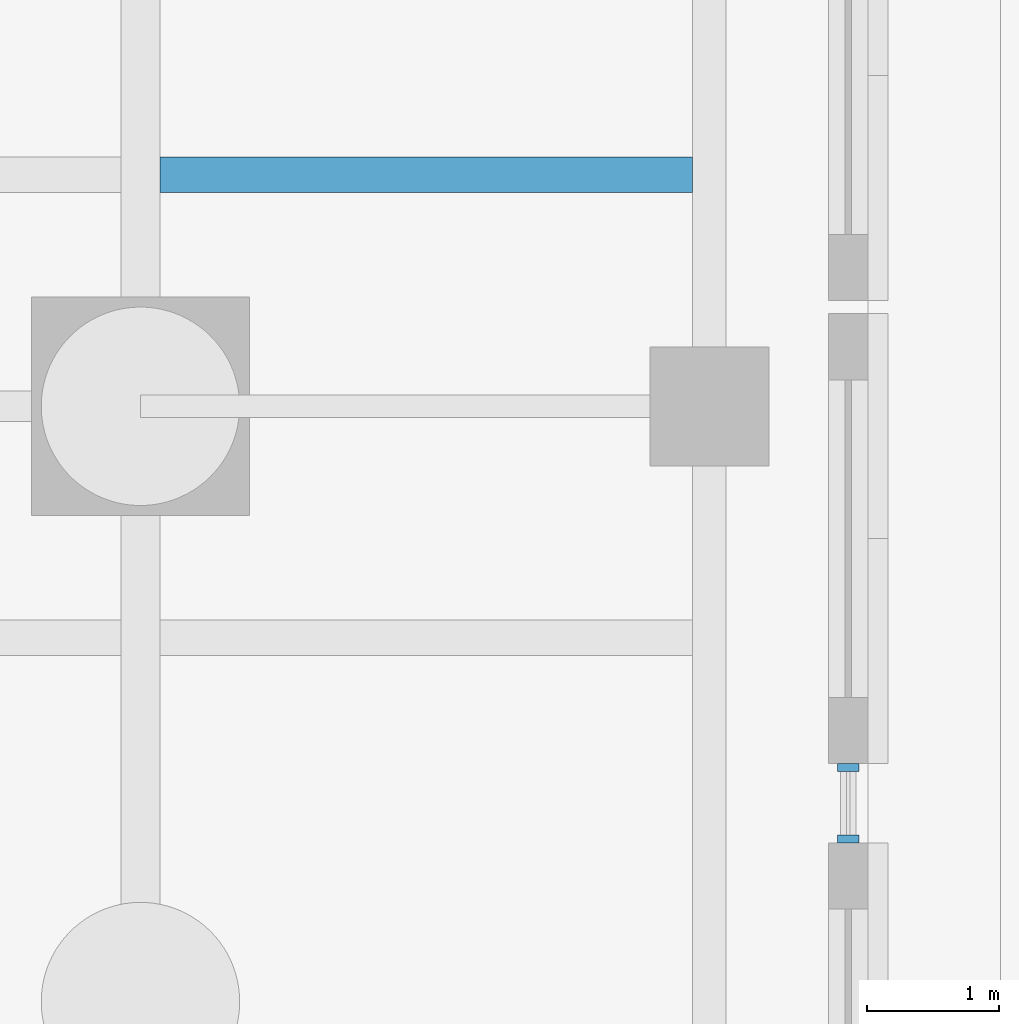
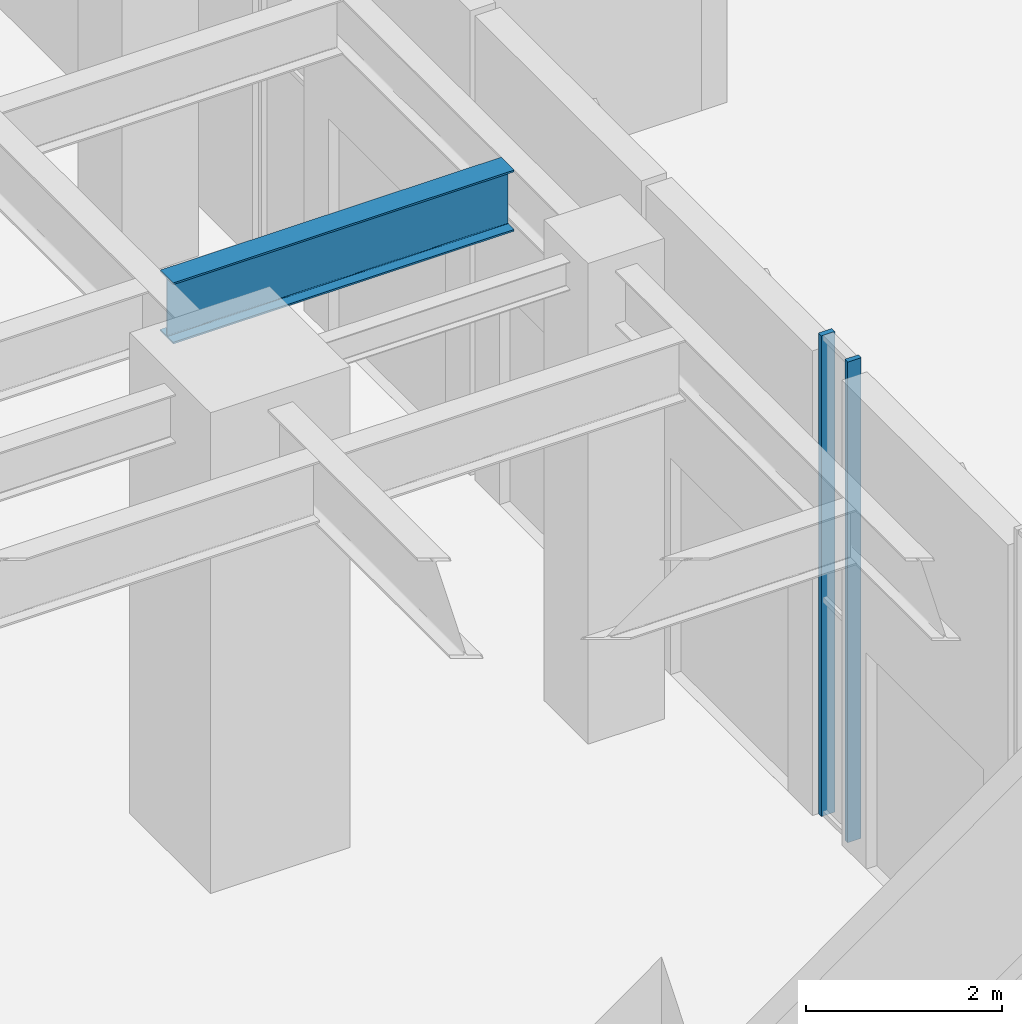
# One storey, part 11 of 43: 2 members, 1 beam, 1 element without a shape of its own.
"""IFC4 building model written with IfcOpenShell, lengths in metres."""

from ifc_helpers import new_model, si_unit, direction, frame, origin, origin_2d, place, context, subcontext, project, spatial, rectangle, i_section, extrude, material, material_profile, profile_set, type_object, element, aggregate, save


model = new_model("IFC4")

# Units and contexts
model_context = context("Model", 3, precision=1e-05, world=origin(), true_north=direction((0.0, 1.0)))
body_context = subcontext(model_context, "Body", "Model", "MODEL_VIEW")
ifc_project = project(units=[si_unit("LENGTHUNIT", "METRE"), si_unit("AREAUNIT", "SQUARE_METRE"), si_unit("VOLUMEUNIT", "CUBIC_METRE"), si_unit("PLANEANGLEUNIT", "RADIAN"), si_unit("MASSUNIT", "GRAM", prefix="KILO")], contexts=[model_context])

# Site, building, storey
site_placement = place(None, origin())
site = spatial("IfcSite", under=ifc_project, at=site_placement, CompositionType="ELEMENT")
building_placement = place(site_placement, origin())
building = spatial("IfcBuilding", under=site, at=building_placement, Name="Nakasero Lantern House", CompositionType="ELEMENT")
storey_placement = place(building_placement, origin())
storey = spatial("IfcBuildingStorey", under=building, at=storey_placement, Name="L00", CompositionType="ELEMENT", Elevation=0.0)

# Beam
ifc_material_1 = material(Name="Steel S355", Category="steel")
ifc_material_profile_1 = material_profile(ifc_material_1, i_section(OverallWidth=0.2666015625, OverallDepth=0.76220703125, WebThickness=0.014404296875, FlangeThickness=0.021484375, FilletRadius=0.0166015625, at=origin_2d()), Name="UB 762x267x173")
ifc_profile_set_1 = profile_set([ifc_material_profile_1], Name="Steel S355")
beam_type = type_object("IfcBeamType", Name="Infill beam UB 762x267x173", PredefinedType="JOIST", material=ifc_profile_set_1)
beam_placement = place(storey_placement, frame((22.646240234375, 1.75, 5.4189453125), z_axis=(1.0, 0.0, 0.0), x_axis=(0.0, 1.0, 0.0)))
element("IfcBeam", 1, at=beam_placement, inside=storey, type_object=beam_type, Name="Infill beam L01 09.4", PredefinedType="JOIST", context=body_context, shape_type="SweptSolid", body=[
    extrude(i_section(OverallWidth=0.2666015625, OverallDepth=0.76220703125, WebThickness=0.014404296875, FlangeThickness=0.021484375, FilletRadius=0.0166015625, at=origin_2d()), origin(), (0.0, 0.0, 1.0), 4.02587890625),
])

# Curtain wall, members
ifc_material_2 = material(Name="Aluminium 6063-T6 and glass", Category="aluminium")
curtain_wall_type = type_object("IfcCurtainWallType", Name="Podium shopfront glazing CW-1", PredefinedType="USERDEFINED", material=ifc_material_2)
curtain_wall_placement = place(storey_placement, origin())
curtain_wall = element("IfcCurtainWall", 2, at=curtain_wall_placement, inside=storey, type_object=curtain_wall_type, Name="Curtain wall CW-1 L00", ObjectType="STICK CURTAIN WALL", PredefinedType="USERDEFINED")
ifc_material_3 = material(Name="Aluminium 6063-T6", Category="aluminium")
ifc_material_profile_2 = material_profile(ifc_material_3, rectangle(XDim=0.06005859375, YDim=0.159912109375, at=origin_2d()), Name="CW-1 mullion 60x160")
ifc_profile_set_2 = profile_set([ifc_material_profile_2], Name="Aluminium 6063-T6")
member_type = type_object("IfcMemberType", Name="Mullion CW-1", PredefinedType="MULLION", material=ifc_profile_set_2)
member_1_placement = place(storey_placement, frame((27.85009765625, -3.27001953125, 0.0), z_axis=(0.0, 0.0, 1.0), x_axis=(0.0, 1.0, 0.0)))
member_1 = element("IfcMember", 3, at=member_1_placement, type_object=member_type, Name="CW-1 mullion 1", PredefinedType="MULLION", context=body_context, shape_type="SweptSolid", body=[
    extrude(rectangle(XDim=0.06005859375, YDim=0.159912109375, at=origin_2d()), origin(), (0.0, 0.0, 1.0), 6.0),
])
member_2_placement = place(storey_placement, frame((27.85009765625, -2.72998046875, 0.0), z_axis=(0.0, 0.0, 1.0), x_axis=(0.0, 1.0, 0.0)))
member_2 = element("IfcMember", 4, at=member_2_placement, type_object=member_type, Name="CW-1 mullion 2", PredefinedType="MULLION", context=body_context, shape_type="SweptSolid", body=[
    extrude(rectangle(XDim=0.06005859375, YDim=0.159912109375, at=origin_2d()), origin(), (0.0, 0.0, 1.0), 6.0),
])
aggregate(curtain_wall, [member_1, member_2])

save(model, "model.ifc")
